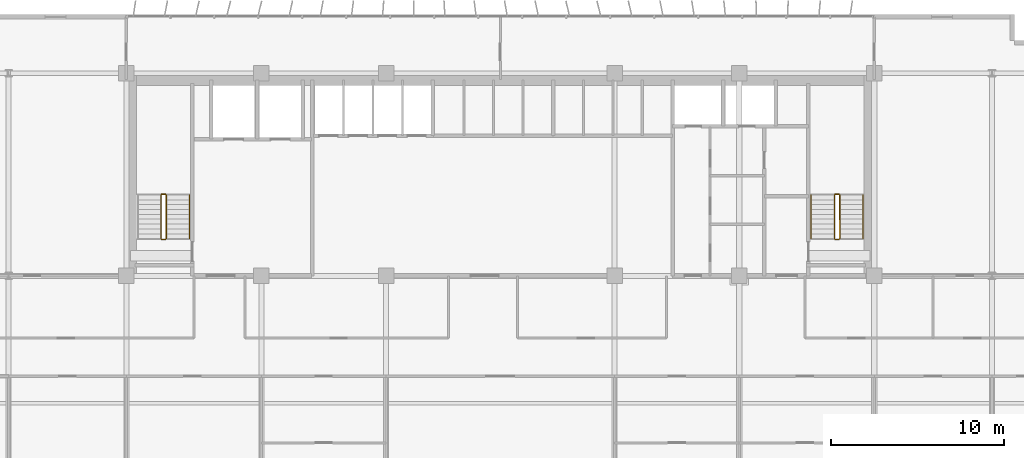
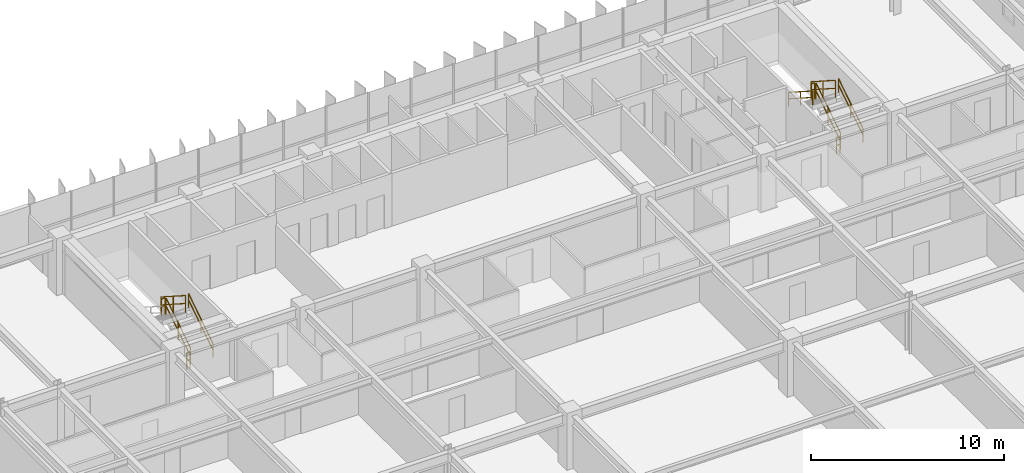
# One storey, part 20 of 21: 11 railings.
"""IFC4 building model written with IfcOpenShell, lengths in metres."""

import ifcopenshell
import ifcopenshell.guid

model = None  # the IFC model being written
_history = None  # IfcOwnerHistory: only IFC2X3 demands one
_inside = {}  # id of a spatial element -> (the spatial element, [elements in it])
_under = {}  # id of a project, library or spatial element -> (it, [spatial elements below it])
_declared = {}  # id of a project -> (the project, [libraries it declares])
_typed = {}  # id of a type object -> (the type object, [elements of that type])
_made_of = {}  # id of a material, layer set ... -> (it, [elements and type objects made of it])


def new_model(schema):
    """Start an empty IFC model of exactly this schema.

    Asked for "IFC4X3", IfcOpenShell would pick the latest addendum, in which some entities
    have other attributes; the version numbers below select the first issue.
    IFC2X3 requires an IfcOwnerHistory on every rooted entity: one is made here for all.
    """
    global model, _history
    if schema == "IFC4X3":
        model = ifcopenshell.file(schema_version=(4, 3, 0, 0))
    else:
        model = ifcopenshell.file(schema=schema)
    _inside.clear()
    _under.clear()
    _declared.clear()
    _typed.clear()
    _made_of.clear()
    _history = None
    if model.schema == "IFC2X3":
        org = make("IfcOrganization", Name="unknown")
        user = make(
            "IfcPersonAndOrganization",
            ThePerson=make("IfcPerson", FamilyName="unknown"),
            TheOrganization=org,
        )
        app = make(
            "IfcApplication",
            ApplicationDeveloper=org,
            Version="unknown",
            ApplicationFullName="unknown",
            ApplicationIdentifier="unknown",
        )
        _history = make(
            "IfcOwnerHistory",
            OwningUser=user,
            OwningApplication=app,
            ChangeAction="ADDED",
            CreationDate=0,
        )
    return model


def make(cls, **values):
    """One entity of the class cls with the attributes given. An attribute that is None is left unset."""
    return model.create_entity(
        cls, **{name: value for name, value in values.items() if value is not None}
    )


def rooted(cls, **values):
    """An entity with a GlobalId (a new one), such as an element, a storey or a relation."""
    return make(cls, GlobalId=ifcopenshell.guid.new(), OwnerHistory=_history, **values)


def si_unit(unit_type, name, prefix=None):
    """IfcSIUnit, for example si_unit("LENGTHUNIT", "METRE", prefix="MILLI")."""
    return make("IfcSIUnit", UnitType=unit_type, Prefix=prefix, Name=name)


def assignment(units):
    """IfcUnitAssignment: the units of a project."""
    return None if units is None else make("IfcUnitAssignment", Units=units)


def point(xyz):
    """IfcCartesianPoint."""
    return None if xyz is None else make("IfcCartesianPoint", Coordinates=xyz)


def direction(xyz):
    """IfcDirection."""
    return None if xyz is None else make("IfcDirection", DirectionRatios=xyz)


def frame(location, z_axis=None, x_axis=None):
    """IfcAxis2Placement3D, a coordinate frame: its origin and axes. An axis left out is left unset."""
    return make(
        "IfcAxis2Placement3D",
        Location=point(location),
        Axis=direction(z_axis),
        RefDirection=direction(x_axis),
    )


def frame_2d(location, x_axis=None):
    """IfcAxis2Placement2D, a coordinate frame in the plane: its origin and x axis."""
    return make(
        "IfcAxis2Placement2D", Location=point(location), RefDirection=direction(x_axis)
    )


def origin():
    """The frame at (0, 0, 0) with its axes left unset."""
    return frame((0.0, 0.0, 0.0))


def origin_2d():
    """The frame at (0, 0) in the plane with its x axis left unset."""
    return frame_2d((0.0, 0.0))


def place(relative_to, where):
    """IfcLocalPlacement: puts the frame where relative to a parent placement (None: the world)."""
    return make(
        "IfcLocalPlacement", PlacementRelTo=relative_to, RelativePlacement=where
    )


def context(
    kind, dimensions, precision=None, world=None, true_north=None, identifier=None
):
    """IfcGeometricRepresentationContext, for example the 3D "Model" context."""
    return make(
        "IfcGeometricRepresentationContext",
        ContextIdentifier=identifier,
        ContextType=kind,
        CoordinateSpaceDimension=dimensions,
        Precision=precision,
        WorldCoordinateSystem=world,
        TrueNorth=true_north,
    )


def subcontext(parent, identifier, kind, view, scale=None):
    """IfcGeometricRepresentationSubContext, for example "Body" below "Model"."""
    return make(
        "IfcGeometricRepresentationSubContext",
        ContextIdentifier=identifier,
        ContextType=kind,
        ParentContext=parent,
        TargetScale=scale,
        TargetView=view,
    )


def project(units=None, contexts=None):
    """IfcProject with its units and contexts."""
    return rooted(
        "IfcProject",
        Name="project",
        RepresentationContexts=contexts,
        UnitsInContext=assignment(units),
    )


def spatial(cls, under=None, at=None, **own):
    """A site, building, storey or space (cls), placed at a placement, below another one or the project."""
    s = rooted(cls, ObjectPlacement=at, **own)
    if under is not None:
        _under.setdefault(under.id(), (under, []))[1].append(s)
    return s


def profile(cls, at=None, kind="AREA", **sizes):
    """A parametric profile (cls). Its sizes go by their IFC names, for example OverallWidth=200.0."""
    return make(cls, ProfileType=kind, Position=at, **sizes)


def rectangle(**sizes):
    """IfcRectangleProfileDef."""
    return profile("IfcRectangleProfileDef", **sizes)


def extrude(swept, where, along, depth):
    """IfcExtrudedAreaSolid: the profile swept, set in the frame where, extruded along a direction by depth."""
    return make(
        "IfcExtrudedAreaSolid",
        SweptArea=swept,
        Position=where,
        ExtrudedDirection=direction(along),
        Depth=depth,
    )


def shape(context_of_items, identifier, shape_type, items):
    """IfcShapeRepresentation: the items that make up one representation, for example the "Body"."""
    return make(
        "IfcShapeRepresentation",
        ContextOfItems=context_of_items,
        RepresentationIdentifier=identifier,
        RepresentationType=shape_type,
        Items=items,
    )


def material(Name=None, Category=None):
    """IfcMaterial."""
    return make("IfcMaterial", Name=Name, Category=Category)


def made_of(thing, what):
    """Note that an element or type object is made of a material, layer set ...; save() writes the relation."""
    if what is not None:
        _made_of.setdefault(what.id(), (what, []))[1].append(thing)
    return thing


def type_object(cls, material=None, **own):
    """A type object (cls), such as IfcWallType, which elements share."""
    return made_of(rooted(cls, **own), material)


def element(
    cls,
    number,
    at=None,
    inside=None,
    cuts=None,
    type_object=None,
    material=None,
    context=None,
    identifier="Body",
    shape_type=None,
    held_by="IfcProductDefinitionShape",
    body=None,
    shapes=None,
    **own,
):
    """One element of the class cls, such as IfcWall. Its Tag is "e" and its number.

    at: its placement. inside: the storey or other place that contains it. cuts: it is an
    opening in that element (IfcRelVoidsElement). A single representation is given by context,
    identifier, shape_type and body (its items); several are given by shapes. held_by: the class
    of the entity that holds the representations. save() writes the other relations.
    """
    e = rooted(cls, Tag="e%d" % number, ObjectPlacement=at, **own)
    if body is not None:
        shapes = [shape(context, identifier, shape_type, body)]
    if shapes is not None:
        e.Representation = make(held_by, Representations=shapes)
    if inside is not None:
        _inside.setdefault(inside.id(), (inside, []))[1].append(e)
    if cuts is not None:
        rooted(
            "IfcRelVoidsElement", RelatingBuildingElement=cuts, RelatedOpeningElement=e
        )
    if type_object is not None:
        _typed.setdefault(type_object.id(), (type_object, []))[1].append(e)
    return made_of(e, material)


def aggregate(whole, parts):
    """IfcRelAggregates: a whole, such as a stair, and the parts it consists of."""
    return rooted("IfcRelAggregates", RelatingObject=whole, RelatedObjects=parts)


def save(model, path):
    """Write the relations noted so far, then the file.

    IfcRelAggregates (storeys below a building ...), IfcRelContainedInSpatialStructure (elements
    in a storey), IfcRelDefinesByType, IfcRelAssociatesMaterial and IfcRelDeclares: one each for
    every whole, place, type object, material and project.
    """
    for whole, parts in _under.values():
        aggregate(whole, parts)
    for where, things in _inside.values():
        rooted(
            "IfcRelContainedInSpatialStructure",
            RelatedElements=things,
            RelatingStructure=where,
        )
    for kind, things in _typed.values():
        rooted("IfcRelDefinesByType", RelatedObjects=things, RelatingType=kind)
    for what, things in _made_of.values():
        rooted("IfcRelAssociatesMaterial", RelatedObjects=things, RelatingMaterial=what)
    for by, libraries in _declared.values():
        rooted("IfcRelDeclares", RelatingContext=by, RelatedDefinitions=libraries)
    model.write(path)


model = new_model("IFC4")

# Units and contexts
model_context = context("Model", 3, precision=1e-05, world=origin(), true_north=direction((0.0, 1.0)))
body_context = subcontext(model_context, "Body", "Model", "MODEL_VIEW")
ifc_project = project(units=[si_unit("LENGTHUNIT", "METRE"), si_unit("AREAUNIT", "SQUARE_METRE"), si_unit("VOLUMEUNIT", "CUBIC_METRE"), si_unit("PLANEANGLEUNIT", "RADIAN"), si_unit("MASSUNIT", "GRAM", prefix="KILO")], contexts=[model_context])

# Site, building, storey
site_placement = place(None, origin())
site = spatial("IfcSite", under=ifc_project, at=site_placement, CompositionType="ELEMENT")
building_placement = place(site_placement, origin())
building = spatial("IfcBuilding", under=site, at=building_placement, Name="Trelvane Seafront Commons", CompositionType="ELEMENT")
storey_placement = place(building_placement, frame((0.0, 0.0, 34.300048828125)))
storey = spatial("IfcBuildingStorey", under=building, at=storey_placement, Name="L08", CompositionType="ELEMENT", Elevation=34.300048828125)

# Railings
ifc_material = material(Name="Stainless steel balustrade", Category="steel")
railing_type_1 = type_object("IfcRailingType", Name="ARCH-SRL-GUARD", PredefinedType="GUARDRAIL", material=ifc_material)
railing_1_placement = place(storey_placement, frame((17.89990234375, 35.550048828125, 0.179931640625)))
element("IfcRailing", 1, at=railing_1_placement, inside=storey, type_object=railing_type_1, Name="L08 ST-1 stair guard 1", PredefinedType="GUARDRAIL", context=body_context, shape_type="SweptSolid", body=[
    extrude(rectangle(XDim=0.048095703125, YDim=0.048095703125, at=origin_2d()), frame((0.0, 0.0, 1.076171875), z_axis=(0.0, 0.841162588446, 0.540782303519), x_axis=(-1.0, 0.0, 0.0)), (0.0, 0.0, 1.0), 2.995849609375),
    extrude(rectangle(XDim=0.048095703125, YDim=0.048095703125, at=origin_2d()), frame((0.0, 0.0, 0.572021484375), z_axis=(0.0, 0.841162588446, 0.540782303519), x_axis=(-1.0, 0.0, 0.0)), (0.0, 0.0, 1.0), 2.995849609375),
    extrude(rectangle(XDim=0.0419921875, YDim=0.0419921875, at=origin_2d()), origin(), (0.0, 0.0, 1.0), 1.076171875),
    extrude(rectangle(XDim=0.0419921875, YDim=0.0419921875, at=origin_2d()), frame((0.0, 1.260009765625, 0.81005859375)), (0.0, 0.0, 1.0), 1.076171875),
    extrude(rectangle(XDim=0.0419921875, YDim=0.0419921875, at=origin_2d()), frame((0.0, 2.52001953125, 1.6201171875)), (0.0, 0.0, 1.0), 1.076171875),
])
railing_2_placement = place(storey_placement, frame((17.85009765625, 38.1201171875, 1.800048828125)))
element("IfcRailing", 2, at=railing_2_placement, inside=storey, type_object=railing_type_1, Name="L08 ST-1 stair guard 2", PredefinedType="GUARDRAIL", context=body_context, shape_type="SweptSolid", body=[
    extrude(rectangle(XDim=0.048095703125, YDim=0.048095703125, at=origin_2d()), frame((0.0, 0.0, 1.076171875), z_axis=(-1.0, 0.0, 0.0), x_axis=(0.0, -1.0, 0.0)), (0.0, 0.0, 1.0), 0.2001953125),
    extrude(rectangle(XDim=0.048095703125, YDim=0.048095703125, at=origin_2d()), frame((0.0, 0.0, 0.572021484375), z_axis=(-1.0, 0.0, 0.0), x_axis=(0.0, -1.0, 0.0)), (0.0, 0.0, 1.0), 0.2001953125),
    extrude(rectangle(XDim=0.0419921875, YDim=0.0419921875, at=origin_2d()), origin(), (0.0, 0.0, 1.0), 1.076171875),
    extrude(rectangle(XDim=0.0419921875, YDim=0.0419921875, at=origin_2d()), frame((-0.2001953125, 0.0, 0.0)), (0.0, 0.0, 1.0), 1.076171875),
])
railing_3_placement = place(storey_placement, frame((17.60009765625, 38.070068359375, 1.97998046875)))
element("IfcRailing", 3, at=railing_3_placement, inside=storey, type_object=railing_type_1, Name="L08 ST-1 stair guard 3", PredefinedType="GUARDRAIL", context=body_context, shape_type="SweptSolid", body=[
    extrude(rectangle(XDim=0.048095703125, YDim=0.048095703125, at=origin_2d()), frame((0.0, 0.0, 1.076171875), z_axis=(0.0, -0.841199657755, 0.540724639528), x_axis=(1.0, 0.0, 0.0)), (0.0, 0.0, 1.0), 2.995849609375),
    extrude(rectangle(XDim=0.048095703125, YDim=0.048095703125, at=origin_2d()), frame((0.0, 0.0, 0.572021484375), z_axis=(0.0, -0.841199657755, 0.540724639528), x_axis=(1.0, 0.0, 0.0)), (0.0, 0.0, 1.0), 2.995849609375),
    extrude(rectangle(XDim=0.0419921875, YDim=0.0419921875, at=origin_2d()), origin(), (0.0, 0.0, 1.0), 1.076171875),
    extrude(rectangle(XDim=0.0419921875, YDim=0.0419921875, at=origin_2d()), frame((0.0, -1.260009765625, 0.81005859375)), (0.0, 0.0, 1.0), 1.076171875),
    extrude(rectangle(XDim=0.0419921875, YDim=0.0419921875, at=origin_2d()), frame((0.0, -2.52001953125, 1.619873046875)), (0.0, 0.0, 1.0), 1.076171875),
])
railing_4_placement = place(storey_placement, frame((17.85009765625, 35.5, 0.0)))
element("IfcRailing", 4, at=railing_4_placement, inside=storey, type_object=railing_type_1, Name="L08 ST-1 stair guard 4", PredefinedType="GUARDRAIL", context=body_context, shape_type="SweptSolid", body=[
    extrude(rectangle(XDim=0.048095703125, YDim=0.048095703125, at=origin_2d()), frame((0.0, 0.0, 1.076171875), z_axis=(-1.0, 0.0, 0.0), x_axis=(0.0, -1.0, 0.0)), (0.0, 0.0, 1.0), 0.2001953125),
    extrude(rectangle(XDim=0.048095703125, YDim=0.048095703125, at=origin_2d()), frame((0.0, 0.0, 0.572021484375), z_axis=(-1.0, 0.0, 0.0), x_axis=(0.0, -1.0, 0.0)), (0.0, 0.0, 1.0), 0.2001953125),
    extrude(rectangle(XDim=0.0419921875, YDim=0.0419921875, at=origin_2d()), origin(), (0.0, 0.0, 1.0), 1.076171875),
    extrude(rectangle(XDim=0.0419921875, YDim=0.0419921875, at=origin_2d()), frame((-0.2001953125, 0.0, 0.0)), (0.0, 0.0, 1.0), 1.076171875),
])
railing_5_placement = place(storey_placement, frame((56.800048828125, 35.550048828125, 0.179931640625)))
element("IfcRailing", 5, at=railing_5_placement, inside=storey, type_object=railing_type_1, Name="L08 ST-2 stair guard 1", PredefinedType="GUARDRAIL", context=body_context, shape_type="SweptSolid", body=[
    extrude(rectangle(XDim=0.048095703125, YDim=0.048095703125, at=origin_2d()), frame((0.0, 0.0, 1.076171875), z_axis=(0.0, 0.841162588446, 0.540782303519), x_axis=(-1.0, 0.0, 0.0)), (0.0, 0.0, 1.0), 2.995849609375),
    extrude(rectangle(XDim=0.048095703125, YDim=0.048095703125, at=origin_2d()), frame((0.0, 0.0, 0.572021484375), z_axis=(0.0, 0.841162588446, 0.540782303519), x_axis=(-1.0, 0.0, 0.0)), (0.0, 0.0, 1.0), 2.995849609375),
    extrude(rectangle(XDim=0.0419921875, YDim=0.0419921875, at=origin_2d()), origin(), (0.0, 0.0, 1.0), 1.076171875),
    extrude(rectangle(XDim=0.0419921875, YDim=0.0419921875, at=origin_2d()), frame((0.0, 1.260009765625, 0.81005859375)), (0.0, 0.0, 1.0), 1.076171875),
    extrude(rectangle(XDim=0.0419921875, YDim=0.0419921875, at=origin_2d()), frame((0.0, 2.52001953125, 1.6201171875)), (0.0, 0.0, 1.0), 1.076171875),
])
railing_6_placement = place(storey_placement, frame((56.75, 38.1201171875, 1.800048828125)))
element("IfcRailing", 6, at=railing_6_placement, inside=storey, type_object=railing_type_1, Name="L08 ST-2 stair guard 2", PredefinedType="GUARDRAIL", context=body_context, shape_type="SweptSolid", body=[
    extrude(rectangle(XDim=0.048095703125, YDim=0.048095703125, at=origin_2d()), frame((0.0, 0.0, 1.076171875), z_axis=(-1.0, 0.0, 0.0), x_axis=(0.0, -1.0, 0.0)), (0.0, 0.0, 1.0), 0.199951171875),
    extrude(rectangle(XDim=0.048095703125, YDim=0.048095703125, at=origin_2d()), frame((0.0, 0.0, 0.572021484375), z_axis=(-1.0, 0.0, 0.0), x_axis=(0.0, -1.0, 0.0)), (0.0, 0.0, 1.0), 0.199951171875),
    extrude(rectangle(XDim=0.0419921875, YDim=0.0419921875, at=origin_2d()), origin(), (0.0, 0.0, 1.0), 1.076171875),
    extrude(rectangle(XDim=0.0419921875, YDim=0.0419921875, at=origin_2d()), frame((-0.199951171875, 0.0, 0.0)), (0.0, 0.0, 1.0), 1.076171875),
])
railing_7_placement = place(storey_placement, frame((56.5, 38.070068359375, 1.97998046875)))
element("IfcRailing", 7, at=railing_7_placement, inside=storey, type_object=railing_type_1, Name="L08 ST-2 stair guard 3", PredefinedType="GUARDRAIL", context=body_context, shape_type="SweptSolid", body=[
    extrude(rectangle(XDim=0.048095703125, YDim=0.048095703125, at=origin_2d()), frame((0.0, 0.0, 1.076171875), z_axis=(0.0, -0.841199657755, 0.540724639528), x_axis=(1.0, 0.0, 0.0)), (0.0, 0.0, 1.0), 2.995849609375),
    extrude(rectangle(XDim=0.048095703125, YDim=0.048095703125, at=origin_2d()), frame((0.0, 0.0, 0.572021484375), z_axis=(0.0, -0.841199657755, 0.540724639528), x_axis=(1.0, 0.0, 0.0)), (0.0, 0.0, 1.0), 2.995849609375),
    extrude(rectangle(XDim=0.0419921875, YDim=0.0419921875, at=origin_2d()), origin(), (0.0, 0.0, 1.0), 1.076171875),
    extrude(rectangle(XDim=0.0419921875, YDim=0.0419921875, at=origin_2d()), frame((0.0, -1.260009765625, 0.81005859375)), (0.0, 0.0, 1.0), 1.076171875),
    extrude(rectangle(XDim=0.0419921875, YDim=0.0419921875, at=origin_2d()), frame((0.0, -2.52001953125, 1.619873046875)), (0.0, 0.0, 1.0), 1.076171875),
])
railing_8_placement = place(storey_placement, frame((56.75, 35.5, 0.0)))
element("IfcRailing", 8, at=railing_8_placement, inside=storey, type_object=railing_type_1, Name="L08 ST-2 stair guard 4", PredefinedType="GUARDRAIL", context=body_context, shape_type="SweptSolid", body=[
    extrude(rectangle(XDim=0.048095703125, YDim=0.048095703125, at=origin_2d()), frame((0.0, 0.0, 1.076171875), z_axis=(-1.0, 0.0, 0.0), x_axis=(0.0, -1.0, 0.0)), (0.0, 0.0, 1.0), 0.199951171875),
    extrude(rectangle(XDim=0.048095703125, YDim=0.048095703125, at=origin_2d()), frame((0.0, 0.0, 0.572021484375), z_axis=(-1.0, 0.0, 0.0), x_axis=(0.0, -1.0, 0.0)), (0.0, 0.0, 1.0), 0.199951171875),
    extrude(rectangle(XDim=0.0419921875, YDim=0.0419921875, at=origin_2d()), origin(), (0.0, 0.0, 1.0), 1.076171875),
    extrude(rectangle(XDim=0.0419921875, YDim=0.0419921875, at=origin_2d()), frame((-0.199951171875, 0.0, 0.0)), (0.0, 0.0, 1.0), 1.076171875),
])
railing_type_2 = type_object("IfcRailingType", Name="ARCH-SRL-HAND", PredefinedType="HANDRAIL", material=ifc_material)
for number, where, name in (
    (9, (19.25, 35.550048828125, 0.179931640625), "L08 ST-1 stair handrail 1"),
    (10, (58.14990234375, 35.550048828125, 0.179931640625), "L08 ST-2 stair handrail 1"),
):
    element("IfcRailing", number, at=place(storey_placement, frame(where)), inside=storey, type_object=railing_type_2, Name=name, PredefinedType="HANDRAIL", context=body_context, shape_type="SweptSolid", body=[
        extrude(rectangle(XDim=0.048095703125, YDim=0.048095703125, at=origin_2d()), frame((0.0, 0.0, 0.8759765625), z_axis=(0.0, 0.841162588446, 0.540782303519), x_axis=(-1.0, 0.0, 0.0)), (0.0, 0.0, 1.0), 2.995849609375),
        extrude(rectangle(XDim=0.048095703125, YDim=0.048095703125, at=origin_2d()), frame((0.0, 0.0, 0.468017578125), z_axis=(0.0, 0.841162588446, 0.540782303519), x_axis=(-1.0, 0.0, 0.0)), (0.0, 0.0, 1.0), 2.995849609375),
        extrude(rectangle(XDim=0.0419921875, YDim=0.0419921875, at=origin_2d()), origin(), (0.0, 0.0, 1.0), 0.8759765625),
        extrude(rectangle(XDim=0.0419921875, YDim=0.0419921875, at=origin_2d()), frame((0.0, 1.260009765625, 0.81005859375)), (0.0, 0.0, 1.0), 0.8759765625),
        extrude(rectangle(XDim=0.0419921875, YDim=0.0419921875, at=origin_2d()), frame((0.0, 2.52001953125, 1.6201171875)), (0.0, 0.0, 1.0), 0.8759765625),
    ])
railing_9_placement = place(storey_placement, frame((55.14990234375, 38.070068359375, 1.97998046875)))
element("IfcRailing", 11, at=railing_9_placement, inside=storey, type_object=railing_type_2, Name="L08 ST-2 stair handrail 2", PredefinedType="HANDRAIL", context=body_context, shape_type="SweptSolid", body=[
    extrude(rectangle(XDim=0.048095703125, YDim=0.048095703125, at=origin_2d()), frame((0.0, 0.0, 0.8759765625), z_axis=(0.0, -0.841199657755, 0.540724639528), x_axis=(1.0, 0.0, 0.0)), (0.0, 0.0, 1.0), 2.995849609375),
    extrude(rectangle(XDim=0.048095703125, YDim=0.048095703125, at=origin_2d()), frame((0.0, 0.0, 0.468017578125), z_axis=(0.0, -0.841199657755, 0.540724639528), x_axis=(1.0, 0.0, 0.0)), (0.0, 0.0, 1.0), 2.995849609375),
    extrude(rectangle(XDim=0.0419921875, YDim=0.0419921875, at=origin_2d()), origin(), (0.0, 0.0, 1.0), 0.8759765625),
    extrude(rectangle(XDim=0.0419921875, YDim=0.0419921875, at=origin_2d()), frame((0.0, -1.260009765625, 0.81005859375)), (0.0, 0.0, 1.0), 0.8759765625),
    extrude(rectangle(XDim=0.0419921875, YDim=0.0419921875, at=origin_2d()), frame((0.0, -2.52001953125, 1.619873046875)), (0.0, 0.0, 1.0), 0.8759765625),
])

save(model, "model.ifc")
